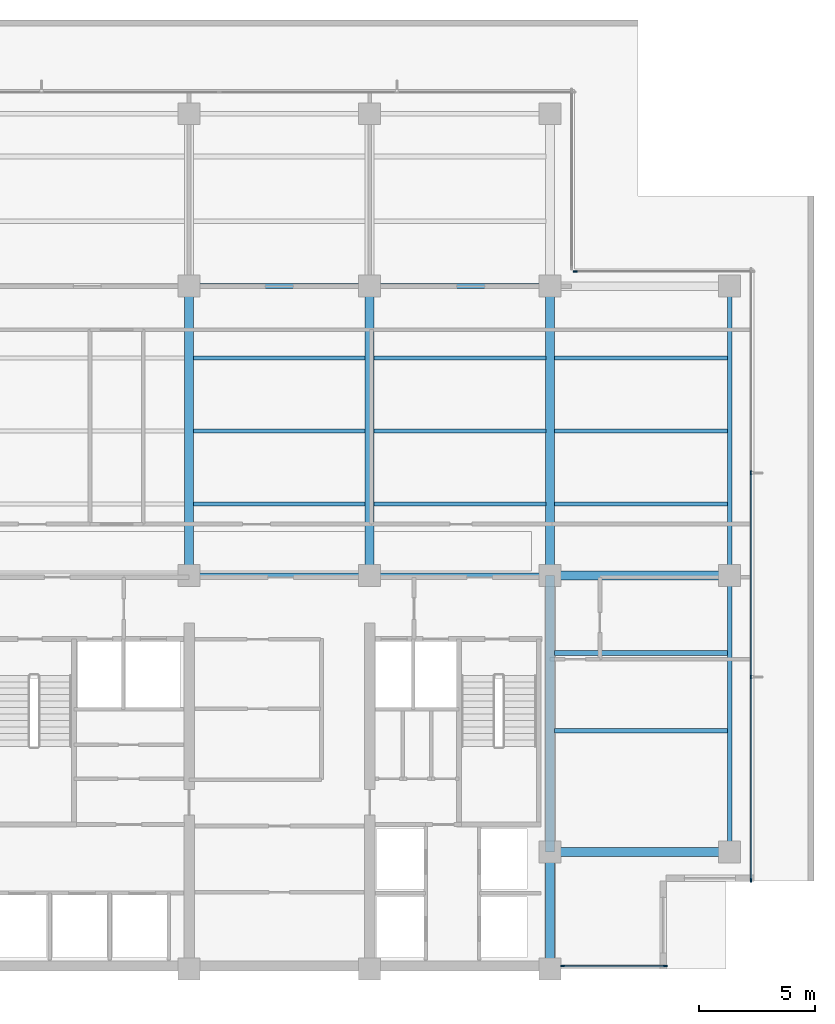
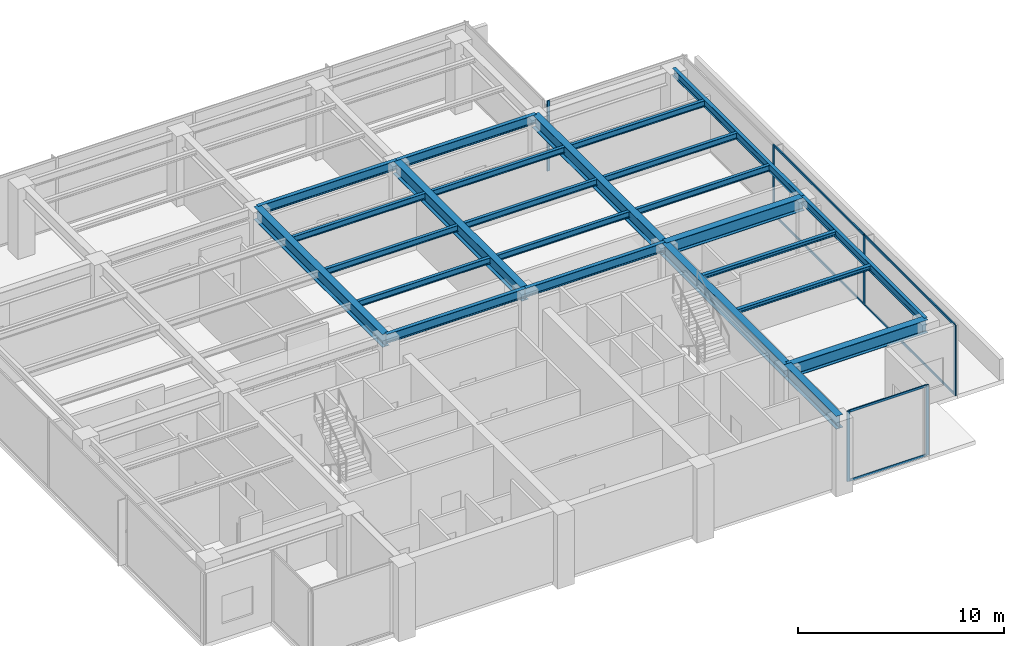
# One storey, part 3 of 14: 24 beams, 12 members, 3 elements without a shape of their own.
"""IFC4 building model written with IfcOpenShell, lengths in metres."""

from ifc_helpers import new_model, si_unit, direction, frame, origin, origin_2d, place, context, subcontext, project, spatial, rectangle, i_section, extrude, material, layer, layer_set, material_profile, profile_set, type_object, element, aggregate, save


model = new_model("IFC4")

# Units and contexts
model_context = context("Model", 3, precision=1e-05, world=origin(), true_north=direction((0.0, 1.0)))
body_context = subcontext(model_context, "Body", "Model", "MODEL_VIEW")
ifc_project = project(units=[si_unit("LENGTHUNIT", "METRE"), si_unit("AREAUNIT", "SQUARE_METRE"), si_unit("VOLUMEUNIT", "CUBIC_METRE"), si_unit("PLANEANGLEUNIT", "RADIAN"), si_unit("MASSUNIT", "GRAM", prefix="KILO")], contexts=[model_context])

# Site, building, storey
site_placement = place(None, origin())
site = spatial("IfcSite", under=ifc_project, at=site_placement, CompositionType="ELEMENT")
building_placement = place(site_placement, origin())
building = spatial("IfcBuilding", under=site, at=building_placement, Name="Qalmaran Belvedere Hotel", CompositionType="ELEMENT")
storey_placement = place(building_placement, frame((0.0, 0.0, 192.5)))
storey = spatial("IfcBuildingStorey", under=building, at=storey_placement, Name="L48", CompositionType="ELEMENT", Elevation=192.5)

# Beams
ifc_material_1 = material(Name="Steel S355JR", Category="steel")
ifc_material_profile_1 = material_profile(ifc_material_1, i_section(OverallWidth=0.201904296875, OverallDepth=0.2470703125, WebThickness=0.00732421875, FlangeThickness=0.010986328125, FilletRadius=0.011962890625, at=origin_2d()), Name="W250X49")
ifc_profile_set_1 = profile_set([ifc_material_profile_1], Name="Steel S355JR")
beam_type_1 = type_object("IfcBeamType", Name="BM-JST-W250X49", PredefinedType="JOIST", material=ifc_profile_set_1)
for number, where, z_axis, x_axis, name in (
    (1, (44.988525390625, 13.800048828125, 4.03662109375), (1.0, 0.0, 0.0), (0.0, 1.0, 0.0), "L48 East Wing Joist 044"),
    (2, (44.988525390625, 17.14990234375, 4.03662109375), (1.0, 0.0, 0.0), (0.0, 1.0, 0.0), "L48 East Wing Joist 046"),
):
    element("IfcBeam", number, at=place(storey_placement, frame(where, z_axis=z_axis, x_axis=x_axis)), inside=storey, type_object=beam_type_1, Name=name, PredefinedType="JOIST", context=body_context, shape_type="SweptSolid", body=[
        extrude(i_section(OverallWidth=0.201904296875, OverallDepth=0.2470703125, WebThickness=0.00732421875, FlangeThickness=0.010986328125, FilletRadius=0.011962890625, at=origin_2d()), origin(), (0.0, 0.0, 1.0), 7.467529296875),
    ])
ifc_material_profile_2 = material_profile(ifc_material_1, i_section(OverallWidth=0.381103515625, OverallDepth=0.77294921875, WebThickness=0.0166015625, FlangeThickness=0.027099609375, FilletRadius=0.02197265625, at=origin_2d()), Name="W760X257")
ifc_profile_set_2 = profile_set([ifc_material_profile_2], Name="Steel S355JR")
beam_type_2 = type_object("IfcBeamType", Name="BM-PG4-W760X257", PredefinedType="USERDEFINED", material=ifc_profile_set_2)
for number, where, z_axis, x_axis, name in (
    (3, (29.199951171875, 20.5, 3.7734375), (0.0, 1.0, 0.0), (-1.0, 0.0, 0.0), "L48 Mid-Plate N-S Girder 16"),
    (4, (37.0, 20.5, 3.7734375), (0.0, 1.0, 0.0), (-1.0, 0.0, 0.0), "L48 Mid-Plate N-S Girder 18"),
    (5, (44.800048828125, 20.5, 3.7734375), (0.0, 1.0, 0.0), (-1.0, 0.0, 0.0), "L48 Mid-Plate N-S Girder 20"),
):
    element("IfcBeam", number, at=place(storey_placement, frame(where, z_axis=z_axis, x_axis=x_axis)), inside=storey, type_object=beam_type_2, Name=name, ObjectType="GIRDER", PredefinedType="USERDEFINED", context=body_context, shape_type="SweptSolid", body=[
        extrude(i_section(OverallWidth=0.381103515625, OverallDepth=0.77294921875, WebThickness=0.0166015625, FlangeThickness=0.027099609375, FilletRadius=0.02197265625, at=origin_2d()), origin(), (0.0, 0.0, 1.0), 12.5),
    ])
beam_1_placement = place(storey_placement, frame((44.800048828125, 3.5, 3.7734375), z_axis=(0.0, 1.0, 0.0), x_axis=(-1.0, 0.0, 0.0)))
element("IfcBeam", 6, at=beam_1_placement, inside=storey, type_object=beam_type_2, Name="L48 East Core Edge Girder A", ObjectType="GIRDER", PredefinedType="USERDEFINED", context=body_context, shape_type="SweptSolid", body=[
    extrude(i_section(OverallWidth=0.381103515625, OverallDepth=0.77294921875, WebThickness=0.0166015625, FlangeThickness=0.027099609375, FilletRadius=0.02197265625, at=origin_2d()), origin(), (0.0, 0.0, 1.0), 5.050048828125),
])
beam_2_placement = place(storey_placement, frame((44.800048828125, 8.550048828125, 3.7734375), z_axis=(0.0, 1.0, 0.0), x_axis=(-1.0, 0.0, 0.0)))
element("IfcBeam", 7, at=beam_2_placement, inside=storey, type_object=beam_type_2, Name="L48 East Core Edge Girder B", ObjectType="GIRDER", PredefinedType="USERDEFINED", context=body_context, shape_type="SweptSolid", body=[
    extrude(i_section(OverallWidth=0.381103515625, OverallDepth=0.77294921875, WebThickness=0.0166015625, FlangeThickness=0.027099609375, FilletRadius=0.02197265625, at=origin_2d()), origin(), (0.0, 0.0, 1.0), 11.949951171875),
])
for number, where, z_axis, x_axis, name in (
    (8, (44.800048828125, 8.550048828125, 3.7734375), (1.0, 0.0, 0.0), (0.0, 1.0, 0.0), "L48 East Wing Girder 25"),
    (9, (44.800048828125, 20.5, 3.7734375), (1.0, 0.0, 0.0), (0.0, 1.0, 0.0), "L48 East Wing Girder 26"),
):
    element("IfcBeam", number, at=place(storey_placement, frame(where, z_axis=z_axis, x_axis=x_axis)), inside=storey, type_object=beam_type_2, Name=name, ObjectType="GIRDER", PredefinedType="USERDEFINED", context=body_context, shape_type="SweptSolid", body=[
        extrude(i_section(OverallWidth=0.381103515625, OverallDepth=0.77294921875, WebThickness=0.0166015625, FlangeThickness=0.027099609375, FilletRadius=0.02197265625, at=origin_2d()), origin(), (0.0, 0.0, 1.0), 7.75),
    ])
ifc_material_profile_3 = material_profile(ifc_material_1, i_section(OverallWidth=0.172119140625, OverallDepth=0.35791015625, WebThickness=0.0078125, FlangeThickness=0.01318359375, FilletRadius=0.014892578125, at=origin_2d()), Name="W360X57")
ifc_profile_set_3 = profile_set([ifc_material_profile_3], Name="Steel S355JR")
beam_type_3 = type_object("IfcBeamType", Name="BM-SB4-W360X57", PredefinedType="BEAM", material=ifc_profile_set_3)
for number, where, z_axis, x_axis, name in (
    (10, (29.388427734375, 23.60009765625, 3.98095703125), (1.0, 0.0, 0.0), (0.0, 1.0, 0.0), "L48 Secondary Floor Beam 030"),
    (11, (37.1884765625, 23.60009765625, 3.98095703125), (1.0, 0.0, 0.0), (0.0, 1.0, 0.0), "L48 Secondary Floor Beam 031"),
):
    element("IfcBeam", number, at=place(storey_placement, frame(where, z_axis=z_axis, x_axis=x_axis)), inside=storey, type_object=beam_type_3, Name=name, PredefinedType="BEAM", context=body_context, shape_type="SweptSolid", body=[
        extrude(i_section(OverallWidth=0.172119140625, OverallDepth=0.35791015625, WebThickness=0.0078125, FlangeThickness=0.01318359375, FilletRadius=0.014892578125, at=origin_2d()), origin(), (0.0, 0.0, 1.0), 7.423095703125),
    ])
beam_3_placement = place(storey_placement, frame((44.988525390625, 23.60009765625, 3.98095703125), z_axis=(1.0, 0.0, 0.0), x_axis=(0.0, 1.0, 0.0)))
element("IfcBeam", 12, at=beam_3_placement, inside=storey, type_object=beam_type_3, Name="L48 East Secondary Beam 032", PredefinedType="BEAM", context=body_context, shape_type="SweptSolid", body=[
    extrude(i_section(OverallWidth=0.172119140625, OverallDepth=0.35791015625, WebThickness=0.0078125, FlangeThickness=0.01318359375, FilletRadius=0.014892578125, at=origin_2d()), origin(), (0.0, 0.0, 1.0), 7.467529296875),
])
for number, where, z_axis, x_axis, name in (
    (13, (29.388427734375, 26.75, 3.98095703125), (1.0, 0.0, 0.0), (0.0, 1.0, 0.0), "L48 Secondary Floor Beam 035"),
    (14, (37.1884765625, 26.75, 3.98095703125), (1.0, 0.0, 0.0), (0.0, 1.0, 0.0), "L48 Secondary Floor Beam 036"),
):
    element("IfcBeam", number, at=place(storey_placement, frame(where, z_axis=z_axis, x_axis=x_axis)), inside=storey, type_object=beam_type_3, Name=name, PredefinedType="BEAM", context=body_context, shape_type="SweptSolid", body=[
        extrude(i_section(OverallWidth=0.172119140625, OverallDepth=0.35791015625, WebThickness=0.0078125, FlangeThickness=0.01318359375, FilletRadius=0.014892578125, at=origin_2d()), origin(), (0.0, 0.0, 1.0), 7.423095703125),
    ])
beam_4_placement = place(storey_placement, frame((44.988525390625, 26.75, 3.98095703125), z_axis=(1.0, 0.0, 0.0), x_axis=(0.0, 1.0, 0.0)))
element("IfcBeam", 15, at=beam_4_placement, inside=storey, type_object=beam_type_3, Name="L48 East Secondary Beam 037", PredefinedType="BEAM", context=body_context, shape_type="SweptSolid", body=[
    extrude(i_section(OverallWidth=0.172119140625, OverallDepth=0.35791015625, WebThickness=0.0078125, FlangeThickness=0.01318359375, FilletRadius=0.014892578125, at=origin_2d()), origin(), (0.0, 0.0, 1.0), 7.467529296875),
])
for number, where, z_axis, x_axis, name in (
    (16, (29.388427734375, 29.89990234375, 3.98095703125), (1.0, 0.0, 0.0), (0.0, 1.0, 0.0), "L48 Secondary Floor Beam 040"),
    (17, (37.1884765625, 29.89990234375, 3.98095703125), (1.0, 0.0, 0.0), (0.0, 1.0, 0.0), "L48 Secondary Floor Beam 041"),
):
    element("IfcBeam", number, at=place(storey_placement, frame(where, z_axis=z_axis, x_axis=x_axis)), inside=storey, type_object=beam_type_3, Name=name, PredefinedType="BEAM", context=body_context, shape_type="SweptSolid", body=[
        extrude(i_section(OverallWidth=0.172119140625, OverallDepth=0.35791015625, WebThickness=0.0078125, FlangeThickness=0.01318359375, FilletRadius=0.014892578125, at=origin_2d()), origin(), (0.0, 0.0, 1.0), 7.423095703125),
    ])
beam_5_placement = place(storey_placement, frame((44.988525390625, 29.89990234375, 3.98095703125), z_axis=(1.0, 0.0, 0.0), x_axis=(0.0, 1.0, 0.0)))
element("IfcBeam", 18, at=beam_5_placement, inside=storey, type_object=beam_type_3, Name="L48 East Secondary Beam 042", PredefinedType="BEAM", context=body_context, shape_type="SweptSolid", body=[
    extrude(i_section(OverallWidth=0.172119140625, OverallDepth=0.35791015625, WebThickness=0.0078125, FlangeThickness=0.01318359375, FilletRadius=0.014892578125, at=origin_2d()), origin(), (0.0, 0.0, 1.0), 7.467529296875),
])
ifc_material_profile_4 = material_profile(ifc_material_1, i_section(OverallWidth=0.19189453125, OverallDepth=0.462890625, WebThickness=0.010498046875, FlangeThickness=0.017578125, FilletRadius=0.01611328125, at=origin_2d()), Name="W460X89")
ifc_profile_set_4 = profile_set([ifc_material_profile_4], Name="Steel S355JR")
beam_type_4 = type_object("IfcBeamType", Name="BM-SP2-W460X89", PredefinedType="SPANDREL", material=ifc_profile_set_4)
beam_6_placement = place(storey_placement, frame((52.550048828125, 8.550048828125, 3.928466796875), z_axis=(0.0, 1.0, 0.0), x_axis=(-1.0, 0.0, 0.0)))
element("IfcBeam", 19, at=beam_6_placement, inside=storey, type_object=beam_type_4, Name="L48 Perimeter Spandrel 03", PredefinedType="SPANDREL", context=body_context, shape_type="SweptSolid", body=[
    extrude(i_section(OverallWidth=0.19189453125, OverallDepth=0.462890625, WebThickness=0.010498046875, FlangeThickness=0.017578125, FilletRadius=0.01611328125, at=origin_2d()), origin(), (0.0, 0.0, 1.0), 11.949951171875),
])
beam_7_placement = place(storey_placement, frame((52.550048828125, 20.5, 3.928466796875), z_axis=(0.0, 1.0, 0.0), x_axis=(-1.0, 0.0, 0.0)))
element("IfcBeam", 20, at=beam_7_placement, inside=storey, type_object=beam_type_4, Name="L48 Perimeter Spandrel 04", PredefinedType="SPANDREL", context=body_context, shape_type="SweptSolid", body=[
    extrude(i_section(OverallWidth=0.19189453125, OverallDepth=0.462890625, WebThickness=0.010498046875, FlangeThickness=0.017578125, FilletRadius=0.01611328125, at=origin_2d()), origin(), (0.0, 0.0, 1.0), 12.5),
])
ifc_material_profile_5 = material_profile(ifc_material_1, i_section(OverallWidth=0.2109375, OverallDepth=0.5390625, WebThickness=0.01171875, FlangeThickness=0.018798828125, FilletRadius=0.01806640625, at=origin_2d()), Name="W530X109")
ifc_profile_set_5 = profile_set([ifc_material_profile_5], Name="Steel S355JR")
beam_type_5 = type_object("IfcBeamType", Name="BM-Z4-W530X109", PredefinedType="USERDEFINED", material=ifc_profile_set_5)
for number, where, z_axis, x_axis, name in (
    (21, (29.199951171875, 20.5, 3.890380859375), (1.0, 0.0, 0.0), (0.0, 1.0, 0.0), "L48 Interior E-W Girder 09"),
    (22, (37.0, 20.5, 3.890380859375), (1.0, 0.0, 0.0), (0.0, 1.0, 0.0), "L48 Interior E-W Girder 10"),
    (23, (29.199951171875, 33.0, 3.890380859375), (1.0, 0.0, 0.0), (0.0, 1.0, 0.0), "L48 Interior E-W Girder 12"),
    (24, (37.0, 33.0, 3.890380859375), (1.0, 0.0, 0.0), (0.0, 1.0, 0.0), "L48 Interior E-W Girder 13"),
):
    element("IfcBeam", number, at=place(storey_placement, frame(where, z_axis=z_axis, x_axis=x_axis)), inside=storey, type_object=beam_type_5, Name=name, ObjectType="GIRDER", PredefinedType="USERDEFINED", context=body_context, shape_type="SweptSolid", body=[
        extrude(i_section(OverallWidth=0.2109375, OverallDepth=0.5390625, WebThickness=0.01171875, FlangeThickness=0.018798828125, FilletRadius=0.01806640625, at=origin_2d()), origin(), (0.0, 0.0, 1.0), 7.800048828125),
    ])

# Curtain wall, members
ifc_material_2 = material(Name="Anodised Bronze Aluminium", Category="aluminium")
ifc_layer = layer(ifc_material_2, 0.18994140625, Name="Anodised Bronze Aluminium")
ifc_layer_set = layer_set([ifc_layer], Name="Anodised Bronze Aluminium")
curtain_wall_type = type_object("IfcCurtainWallType", Name="CW5-TOWER-UPPER", PredefinedType="NOTDEFINED", material=ifc_layer_set)
curtain_wall_1_placement = place(storey_placement, origin())
curtain_wall_1 = element("IfcCurtainWall", 25, at=curtain_wall_1_placement, inside=storey, type_object=curtain_wall_type, Name="L48 Curtain Wall CW5", PredefinedType="NOTDEFINED")
ifc_material_profile_6 = material_profile(ifc_material_2, rectangle(XDim=0.06494140625, YDim=0.1650390625, at=origin_2d()), Name="CWM65X165")
ifc_profile_set_6 = profile_set([ifc_material_profile_6], Name="Anodised Bronze Aluminium")
member_type_1 = type_object("IfcMemberType", Name="CWM-65X165", PredefinedType="MULLION", material=ifc_profile_set_6)
member_1_placement = place(storey_placement, frame((45.347412109375, 3.6201171875, 0.0), z_axis=(0.0, 0.0, 1.0), x_axis=(0.0, 1.0, 0.0)))
member_1 = element("IfcMember", 26, at=member_1_placement, type_object=member_type_1, Name="CW5 mullion 1", PredefinedType="MULLION", context=body_context, shape_type="SweptSolid", body=[
    extrude(rectangle(XDim=0.06494140625, YDim=0.1650390625, at=origin_2d()), origin(), (0.0, 0.0, 1.0), 4.159912109375),
])
member_2_placement = place(storey_placement, frame((49.767578125, 3.6201171875, 0.0), z_axis=(0.0, 0.0, 1.0), x_axis=(0.0, 1.0, 0.0)))
member_2 = element("IfcMember", 27, at=member_2_placement, type_object=member_type_1, Name="CW5 mullion 2", PredefinedType="MULLION", context=body_context, shape_type="SweptSolid", body=[
    extrude(rectangle(XDim=0.06494140625, YDim=0.1650390625, at=origin_2d()), origin(), (0.0, 0.0, 1.0), 4.159912109375),
])

curtain_wall_2_placement = place(storey_placement, origin())
curtain_wall_2 = element("IfcCurtainWall", 28, at=curtain_wall_2_placement, inside=storey, type_object=curtain_wall_type, Name="L48 Curtain Wall CW5", PredefinedType="NOTDEFINED")
member_3_placement = place(storey_placement, frame((53.47998046875, 7.33251953125, 0.0), z_axis=(0.0, 0.0, 1.0), x_axis=(-1.0, 0.0, 0.0)))
member_3 = element("IfcMember", 29, at=member_3_placement, type_object=member_type_1, Name="CW5 mullion 1", PredefinedType="MULLION", context=body_context, shape_type="SweptSolid", body=[
    extrude(rectangle(XDim=0.06494140625, YDim=0.1650390625, at=origin_2d()), origin(), (0.0, 0.0, 1.0), 4.159912109375),
])
member_4_placement = place(storey_placement, frame((53.47998046875, 16.11669921875, 0.0), z_axis=(0.0, 0.0, 1.0), x_axis=(-1.0, 0.0, 0.0)))
member_4 = element("IfcMember", 30, at=member_4_placement, type_object=member_type_1, Name="CW5 mullion 2", PredefinedType="MULLION", context=body_context, shape_type="SweptSolid", body=[
    extrude(rectangle(XDim=0.06494140625, YDim=0.1650390625, at=origin_2d()), origin(), (0.0, 0.0, 1.0), 4.159912109375),
])
member_5_placement = place(storey_placement, frame((53.47998046875, 24.933349609375, 0.0), z_axis=(0.0, 0.0, 1.0), x_axis=(-1.0, 0.0, 0.0)))
member_5 = element("IfcMember", 31, at=member_5_placement, type_object=member_type_1, Name="CW5 mullion 3", PredefinedType="MULLION", context=body_context, shape_type="SweptSolid", body=[
    extrude(rectangle(XDim=0.06494140625, YDim=0.1650390625, at=origin_2d()), origin(), (0.0, 0.0, 1.0), 4.159912109375),
])

# Curtain wall, member
curtain_wall_3_placement = place(storey_placement, origin())
curtain_wall_3 = element("IfcCurtainWall", 32, at=curtain_wall_3_placement, inside=storey, type_object=curtain_wall_type, Name="L48 Curtain Wall CW5", PredefinedType="NOTDEFINED")
member_6_placement = place(storey_placement, frame((45.882568359375, 33.6298828125, 0.0), z_axis=(0.0, 0.0, 1.0), x_axis=(0.0, -1.0, 0.0)))
member_6 = element("IfcMember", 33, at=member_6_placement, type_object=member_type_1, Name="CW5 mullion 2", PredefinedType="MULLION", context=body_context, shape_type="SweptSolid", body=[
    extrude(rectangle(XDim=0.06494140625, YDim=0.1650390625, at=origin_2d()), origin(), (0.0, 0.0, 1.0), 4.159912109375),
])
aggregate(curtain_wall_3, [member_6])

# Member
ifc_material_profile_7 = material_profile(ifc_material_2, rectangle(XDim=0.06494140625, YDim=0.1298828125, at=origin_2d()), Name="CWT65X130")
ifc_profile_set_7 = profile_set([ifc_material_profile_7], Name="Anodised Bronze Aluminium")
member_type_2 = type_object("IfcMemberType", Name="CWT-65X130", PredefinedType="USERDEFINED", material=ifc_profile_set_7)
member_7_placement = place(storey_placement, frame((45.3798828125, 3.6201171875, 0.032470703125), z_axis=(1.0, 0.0, 0.0), x_axis=(0.0, 1.0, 0.0)))
member_7 = element("IfcMember", 34, at=member_7_placement, type_object=member_type_2, Name="CW5 transom 1.1", ObjectType="TRANSOM", PredefinedType="USERDEFINED", context=body_context, shape_type="SweptSolid", body=[
    extrude(rectangle(XDim=0.06494140625, YDim=0.1298828125, at=origin_2d()), origin(), (0.0, 0.0, 1.0), 4.355224609375),
])

member_8_placement = place(storey_placement, frame((45.3798828125, 3.6201171875, 4.12744140625), z_axis=(1.0, 0.0, 0.0), x_axis=(0.0, 1.0, 0.0)))
member_8 = element("IfcMember", 35, at=member_8_placement, type_object=member_type_2, Name="CW5 transom 1.2", ObjectType="TRANSOM", PredefinedType="USERDEFINED", context=body_context, shape_type="SweptSolid", body=[
    extrude(rectangle(XDim=0.06494140625, YDim=0.1298828125, at=origin_2d()), origin(), (0.0, 0.0, 1.0), 4.355224609375),
])

aggregate(curtain_wall_1, [member_1, member_2, member_7, member_8])

member_9_placement = place(storey_placement, frame((53.47998046875, 7.364990234375, 0.032470703125), z_axis=(0.0, 1.0, 0.0), x_axis=(-1.0, 0.0, 0.0)))
member_9 = element("IfcMember", 36, at=member_9_placement, type_object=member_type_2, Name="CW5 transom 1.1", ObjectType="TRANSOM", PredefinedType="USERDEFINED", context=body_context, shape_type="SweptSolid", body=[
    extrude(rectangle(XDim=0.06494140625, YDim=0.1298828125, at=origin_2d()), origin(), (0.0, 0.0, 1.0), 8.71923828125),
])

member_10_placement = place(storey_placement, frame((53.47998046875, 7.364990234375, 4.12744140625), z_axis=(0.0, 1.0, 0.0), x_axis=(-1.0, 0.0, 0.0)))
member_10 = element("IfcMember", 37, at=member_10_placement, type_object=member_type_2, Name="CW5 transom 1.2", ObjectType="TRANSOM", PredefinedType="USERDEFINED", context=body_context, shape_type="SweptSolid", body=[
    extrude(rectangle(XDim=0.06494140625, YDim=0.1298828125, at=origin_2d()), origin(), (0.0, 0.0, 1.0), 8.71923828125),
])

member_11_placement = place(storey_placement, frame((53.47998046875, 16.149169921875, 0.032470703125), z_axis=(0.0, 1.0, 0.0), x_axis=(-1.0, 0.0, 0.0)))
member_11 = element("IfcMember", 38, at=member_11_placement, type_object=member_type_2, Name="CW5 transom 2.1", ObjectType="TRANSOM", PredefinedType="USERDEFINED", context=body_context, shape_type="SweptSolid", body=[
    extrude(rectangle(XDim=0.06494140625, YDim=0.1298828125, at=origin_2d()), origin(), (0.0, 0.0, 1.0), 8.751708984375),
])

member_12_placement = place(storey_placement, frame((53.47998046875, 16.149169921875, 4.12744140625), z_axis=(0.0, 1.0, 0.0), x_axis=(-1.0, 0.0, 0.0)))
member_12 = element("IfcMember", 39, at=member_12_placement, type_object=member_type_2, Name="CW5 transom 2.2", ObjectType="TRANSOM", PredefinedType="USERDEFINED", context=body_context, shape_type="SweptSolid", body=[
    extrude(rectangle(XDim=0.06494140625, YDim=0.1298828125, at=origin_2d()), origin(), (0.0, 0.0, 1.0), 8.751708984375),
])

aggregate(curtain_wall_2, [member_3, member_4, member_5, member_9, member_10, member_11, member_12])

save(model, "model.ifc")
